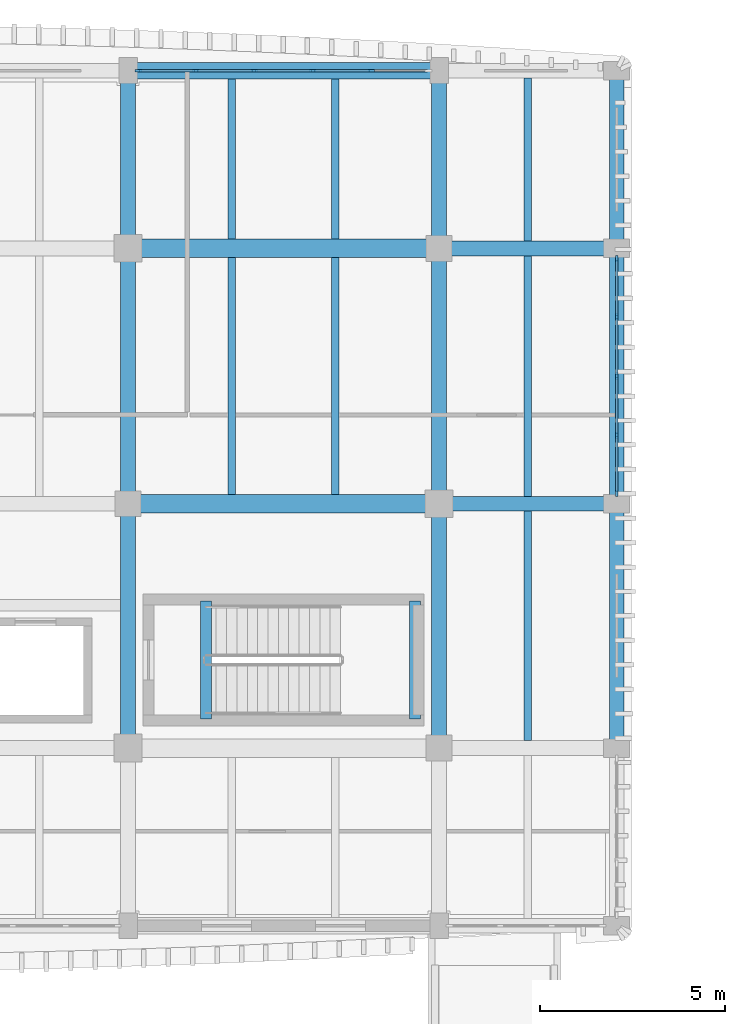
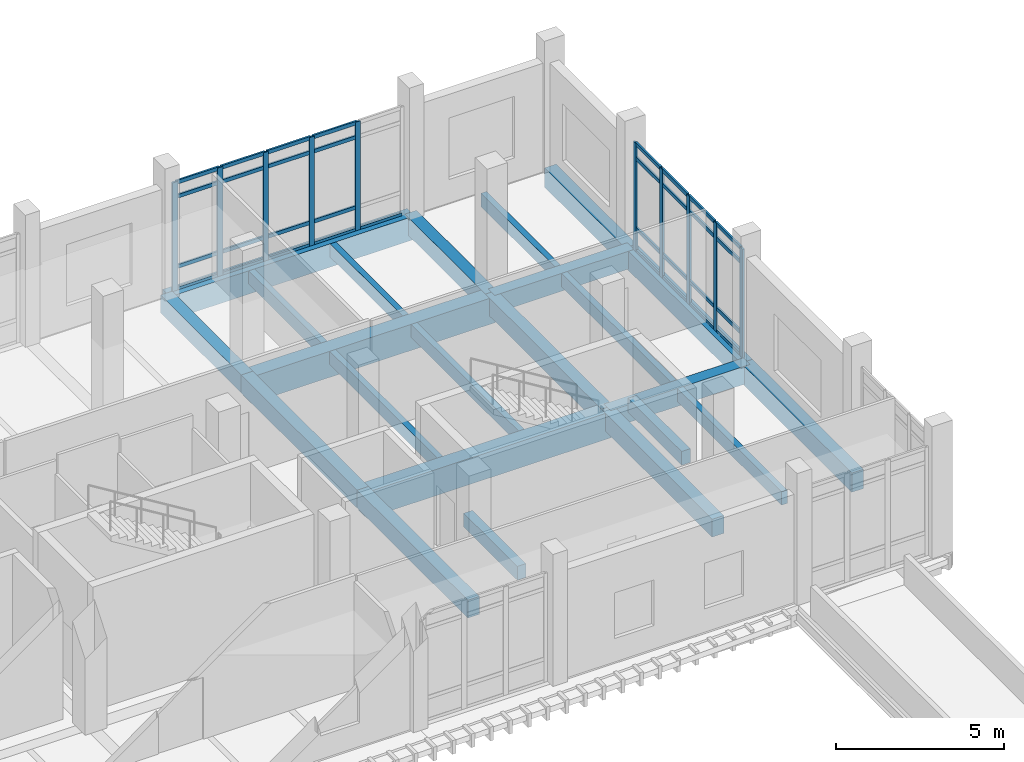
# One storey, part 19 of 76: 43 members, 23 beams, 2 elements without a shape of their own.
"""IFC4 building model written with IfcOpenShell, lengths in metres."""

from ifc_helpers import new_model, si_unit, direction, frame, origin, origin_2d, place, context, subcontext, project, spatial, rectangle, extrude, material, material_profile, profile_set, type_object, element, aggregate, save


model = new_model("IFC4")

# Units and contexts
model_context = context("Model", 3, precision=1e-05, world=origin(), true_north=direction((0.0, 1.0)))
body_context = subcontext(model_context, "Body", "Model", "MODEL_VIEW")
ifc_project = project(units=[si_unit("LENGTHUNIT", "METRE"), si_unit("AREAUNIT", "SQUARE_METRE"), si_unit("VOLUMEUNIT", "CUBIC_METRE"), si_unit("PLANEANGLEUNIT", "RADIAN"), si_unit("MASSUNIT", "GRAM", prefix="KILO")], contexts=[model_context])

# Site, building, storey
site_placement = place(None, origin())
site = spatial("IfcSite", under=ifc_project, at=site_placement, CompositionType="ELEMENT")
building_placement = place(site_placement, origin())
building = spatial("IfcBuilding", under=site, at=building_placement, Name="Dornvale Research Institute", CompositionType="ELEMENT")
storey_placement = place(building_placement, frame((0.0, 0.0, 15.0)))
storey = spatial("IfcBuildingStorey", under=building, at=storey_placement, Name="L03", CompositionType="ELEMENT", Elevation=15.0)

# Beams
ifc_material_1 = material(Name="Concrete f'c 45 MPa (C35/45)", Category="concrete")
ifc_material_profile_1 = material_profile(ifc_material_1, rectangle(XDim=0.300048828125, YDim=0.5, at=origin_2d()), Name="RC 300x500")
ifc_profile_set_1 = profile_set([ifc_material_profile_1], Name="Concrete f'c 45 MPa (C35/45)")
beam_type_1 = type_object("IfcBeamType", Name="Beam_RC300x500_Trim", PredefinedType="BEAM", material=ifc_profile_set_1)
for number, where, z_axis, x_axis, name in (
    (1, (35.10009765625, 104.580078125, -0.25), (0.0, 1.0, 0.0), (-1.0, 0.0, 0.0), "L03 ST-2 stair landing trimmer beam #27"),
    (2, (40.75, 104.580078125, 1.949951171875), (0.0, 1.0, 0.0), (-1.0, 0.0, 0.0), "L03 ST-2 half-landing support beam #40"),
):
    element("IfcBeam", number, at=place(storey_placement, frame(where, z_axis=z_axis, x_axis=x_axis)), inside=storey, type_object=beam_type_1, Name=name, PredefinedType="BEAM", context=body_context, shape_type="SweptSolid", body=[
        extrude(rectangle(XDim=0.300048828125, YDim=0.5, at=origin_2d()), origin(), (0.0, 0.0, 1.0), 3.199951171875),
    ])
ifc_material_2 = material(Name="Concrete f'c 45 MPa (C35/45)", Category="concrete")
ifc_material_profile_2 = material_profile(ifc_material_2, rectangle(XDim=0.39990234375, YDim=0.64990234375, at=origin_2d()), Name="RC 400x650")
ifc_profile_set_2 = profile_set([ifc_material_profile_2], Name="Concrete f'c 45 MPa (C35/45)")
beam_type_2 = type_object("IfcBeamType", Name="Beam_RC400x650_Floor", PredefinedType="BEAM", material=ifc_profile_set_2)
for number, where, z_axis, x_axis, name in (
    (3, (41.39990234375, 110.39990234375, -0.324951171875), (1.0, 0.0, 0.0), (0.0, 1.0, 0.0), "L03 primary girder #869"),
    (4, (41.39990234375, 117.300048828125, -0.324951171875), (1.0, 0.0, 0.0), (0.0, 1.0, 0.0), "L03 primary girder #876"),
):
    element("IfcBeam", number, at=place(storey_placement, frame(where, z_axis=z_axis, x_axis=x_axis)), inside=storey, type_object=beam_type_2, Name=name, PredefinedType="BEAM", context=body_context, shape_type="SweptSolid", body=[
        extrude(rectangle(XDim=0.39990234375, YDim=0.64990234375, at=origin_2d()), origin(), (0.0, 0.0, 1.0), 4.800048828125),
    ])
beam_1_placement = place(storey_placement, frame((33.0, 103.800048828125, -0.324951171875), z_axis=(0.0, 1.0, 0.0), x_axis=(-1.0, 0.0, 0.0)))
element("IfcBeam", 5, at=beam_1_placement, inside=storey, type_object=beam_type_2, Name="L03 transverse girder #905", PredefinedType="BEAM", context=body_context, shape_type="SweptSolid", body=[
    extrude(rectangle(XDim=0.39990234375, YDim=0.64990234375, at=origin_2d()), origin(), (0.0, 0.0, 1.0), 6.599853515625),
])
beam_2_placement = place(storey_placement, frame((33.0, 110.39990234375, -0.324951171875), z_axis=(0.0, 1.0, 0.0), x_axis=(-1.0, 0.0, 0.0)))
element("IfcBeam", 6, at=beam_2_placement, inside=storey, type_object=beam_type_2, Name="L03 transverse girder #906", PredefinedType="BEAM", context=body_context, shape_type="SweptSolid", body=[
    extrude(rectangle(XDim=0.39990234375, YDim=0.64990234375, at=origin_2d()), origin(), (0.0, 0.0, 1.0), 6.900146484375),
])
beam_3_placement = place(storey_placement, frame((33.0, 117.300048828125, -0.324951171875), z_axis=(0.0, 1.0, 0.0), x_axis=(-1.0, 0.0, 0.0)))
element("IfcBeam", 7, at=beam_3_placement, inside=storey, type_object=beam_type_2, Name="L03 transverse girder #907", PredefinedType="BEAM", context=body_context, shape_type="SweptSolid", body=[
    extrude(rectangle(XDim=0.39990234375, YDim=0.64990234375, at=origin_2d()), origin(), (0.0, 0.0, 1.0), 4.800048828125),
])
beam_4_placement = place(storey_placement, frame((41.39990234375, 103.800048828125, -0.324951171875), z_axis=(0.0, 1.0, 0.0), x_axis=(-1.0, 0.0, 0.0)))
element("IfcBeam", 8, at=beam_4_placement, inside=storey, type_object=beam_type_2, Name="L03 transverse girder #909", PredefinedType="BEAM", context=body_context, shape_type="SweptSolid", body=[
    extrude(rectangle(XDim=0.39990234375, YDim=0.64990234375, at=origin_2d()), origin(), (0.0, 0.0, 1.0), 6.599853515625),
])
beam_5_placement = place(storey_placement, frame((41.39990234375, 110.39990234375, -0.324951171875), z_axis=(0.0, 1.0, 0.0), x_axis=(-1.0, 0.0, 0.0)))
element("IfcBeam", 9, at=beam_5_placement, inside=storey, type_object=beam_type_2, Name="L03 transverse girder #910", PredefinedType="BEAM", context=body_context, shape_type="SweptSolid", body=[
    extrude(rectangle(XDim=0.39990234375, YDim=0.64990234375, at=origin_2d()), origin(), (0.0, 0.0, 1.0), 6.900146484375),
])
beam_6_placement = place(storey_placement, frame((41.39990234375, 117.300048828125, -0.324951171875), z_axis=(0.0, 1.0, 0.0), x_axis=(-1.0, 0.0, 0.0)))
element("IfcBeam", 10, at=beam_6_placement, inside=storey, type_object=beam_type_2, Name="L03 transverse girder #911", PredefinedType="BEAM", context=body_context, shape_type="SweptSolid", body=[
    extrude(rectangle(XDim=0.39990234375, YDim=0.64990234375, at=origin_2d()), origin(), (0.0, 0.0, 1.0), 4.800048828125),
])
ifc_material_3 = material(Name="Concrete f'c 45 MPa (C35/45)", Category="concrete")
ifc_material_profile_3 = material_profile(ifc_material_3, rectangle(XDim=0.5, YDim=0.949951171875, at=origin_2d()), Name="RC 500x950")
ifc_profile_set_3 = profile_set([ifc_material_profile_3], Name="Concrete f'c 45 MPa (C35/45)")
beam_type_3 = type_object("IfcBeamType", Name="Beam_RC500x950_Girder", PredefinedType="BEAM", material=ifc_profile_set_3)
for number, where, z_axis, x_axis, name in (
    (11, (33.0, 110.39990234375, -0.47509765625), (1.0, 0.0, 0.0), (0.0, 1.0, 0.0), "L03 primary girder #868"),
    (12, (33.0, 117.300048828125, -0.47509765625), (1.0, 0.0, 0.0), (0.0, 1.0, 0.0), "L03 primary girder #875"),
):
    element("IfcBeam", number, at=place(storey_placement, frame(where, z_axis=z_axis, x_axis=x_axis)), inside=storey, type_object=beam_type_3, Name=name, PredefinedType="BEAM", context=body_context, shape_type="SweptSolid", body=[
        extrude(rectangle(XDim=0.5, YDim=0.949951171875, at=origin_2d()), origin(), (0.0, 0.0, 1.0), 8.39990234375),
    ])
ifc_material_4 = material(Name="Concrete f'c 45 MPa (C35/45)", Category="concrete")
ifc_material_profile_4 = material_profile(ifc_material_4, rectangle(XDim=0.199951171875, YDim=0.485107421875, at=origin_2d()), Name="RC 200x485")
ifc_profile_set_4 = profile_set([ifc_material_profile_4], Name="Concrete f'c 45 MPa (C35/45)")
beam_type_4 = type_object("IfcBeamType", Name="Joist_RC200x485_Rib", PredefinedType="JOIST", material=ifc_profile_set_4)
for number, where, z_axis, x_axis, name in (
    (13, (35.800048828125, 110.64990234375, -0.242431640625), (0.0, 1.0, 0.0), (-1.0, 0.0, 0.0), "L03 laboratory waffle joist #444"),
    (14, (38.60009765625, 110.64990234375, -0.242431640625), (0.0, 1.0, 0.0), (-1.0, 0.0, 0.0), "L03 laboratory waffle joist #445"),
):
    element("IfcBeam", number, at=place(storey_placement, frame(where, z_axis=z_axis, x_axis=x_axis)), inside=storey, type_object=beam_type_4, Name=name, PredefinedType="JOIST", context=body_context, shape_type="SweptSolid", body=[
        extrude(rectangle(XDim=0.199951171875, YDim=0.485107421875, at=origin_2d()), origin(), (0.0, 0.0, 1.0), 6.400146484375),
    ])
for number, where, z_axis, x_axis, name in (
    (15, (35.800048828125, 117.550048828125, -0.242431640625), (0.0, 1.0, 0.0), (-1.0, 0.0, 0.0), "L03 laboratory waffle joist #446"),
    (16, (38.60009765625, 117.550048828125, -0.242431640625), (0.0, 1.0, 0.0), (-1.0, 0.0, 0.0), "L03 laboratory waffle joist #447"),
):
    element("IfcBeam", number, at=place(storey_placement, frame(where, z_axis=z_axis, x_axis=x_axis)), inside=storey, type_object=beam_type_4, Name=name, PredefinedType="JOIST", context=body_context, shape_type="SweptSolid", body=[
        extrude(rectangle(XDim=0.199951171875, YDim=0.485107421875, at=origin_2d()), origin(), (0.0, 0.0, 1.0), 4.324951171875),
    ])
beam_7_placement = place(storey_placement, frame((43.800048828125, 104.0, -0.242431640625), z_axis=(0.0, 1.0, 0.0), x_axis=(-1.0, 0.0, 0.0)))
element("IfcBeam", 17, at=beam_7_placement, inside=storey, type_object=beam_type_4, Name="L03 laboratory waffle joist #449", PredefinedType="JOIST", context=body_context, shape_type="SweptSolid", body=[
    extrude(rectangle(XDim=0.199951171875, YDim=0.485107421875, at=origin_2d()), origin(), (0.0, 0.0, 1.0), 6.199951171875),
])
beam_8_placement = place(storey_placement, frame((43.800048828125, 110.60009765625, -0.242431640625), z_axis=(0.0, 1.0, 0.0), x_axis=(-1.0, 0.0, 0.0)))
element("IfcBeam", 18, at=beam_8_placement, inside=storey, type_object=beam_type_4, Name="L03 laboratory waffle joist #450", PredefinedType="JOIST", context=body_context, shape_type="SweptSolid", body=[
    extrude(rectangle(XDim=0.199951171875, YDim=0.485107421875, at=origin_2d()), origin(), (0.0, 0.0, 1.0), 6.5),
])
beam_9_placement = place(storey_placement, frame((43.800048828125, 117.5, -0.242431640625), z_axis=(0.0, 1.0, 0.0), x_axis=(-1.0, 0.0, 0.0)))
element("IfcBeam", 19, at=beam_9_placement, inside=storey, type_object=beam_type_4, Name="L03 laboratory waffle joist #451", PredefinedType="JOIST", context=body_context, shape_type="SweptSolid", body=[
    extrude(rectangle(XDim=0.199951171875, YDim=0.485107421875, at=origin_2d()), origin(), (0.0, 0.0, 1.0), 4.39990234375),
])

# Curtain wall, members
ifc_material_5 = material(Name="Low-E Argon Double Insulating Glazing Unit", Category="glass")
curtain_wall_type_1 = type_object("IfcCurtainWallType", Name="UnitisedCurtainWall_V5_7900x3950", PredefinedType="USERDEFINED", material=ifc_material_5)
curtain_wall_1_placement = place(storey_placement, origin())
curtain_wall_1 = element("IfcCurtainWall", 20, at=curtain_wall_1_placement, inside=storey, type_object=curtain_wall_type_1, Name="L03 V5 unitised curtain wall CW-24 #150", ObjectType="UNITISED CURTAIN WALL", PredefinedType="USERDEFINED")
ifc_material_6 = material(Name="Anodized Aluminum AA 6063-T6 Thermally Broken Frame", Category="aluminium")
ifc_material_profile_5 = material_profile(ifc_material_6, rectangle(XDim=0.06494140625, YDim=0.179931640625, at=origin_2d()), Name="ALU MULLION 65x180")
ifc_profile_set_5 = profile_set([ifc_material_profile_5], Name="Anodized Aluminum AA 6063-T6 Thermally Broken Frame")
member_type_1 = type_object("IfcMemberType", Name="Mullion_CW_65x180", PredefinedType="MULLION", material=ifc_profile_set_5)
member_1_placement = place(storey_placement, frame((33.282470703125, 122.10009765625, 0.0), z_axis=(0.0, 0.0, 1.0), x_axis=(0.0, 1.0, 0.0)))
member_1 = element("IfcMember", 21, at=member_1_placement, type_object=member_type_1, Name="CW-24 mullion 1", PredefinedType="MULLION", context=body_context, shape_type="SweptSolid", body=[
    extrude(rectangle(XDim=0.06494140625, YDim=0.179931640625, at=origin_2d()), origin(), (0.0, 0.0, 1.0), 3.949951171875),
])
member_2_placement = place(storey_placement, frame((34.830078125, 122.10009765625, 0.0), z_axis=(0.0, 0.0, 1.0), x_axis=(0.0, 1.0, 0.0)))
member_2 = element("IfcMember", 22, at=member_2_placement, type_object=member_type_1, Name="CW-24 mullion 2", PredefinedType="MULLION", context=body_context, shape_type="SweptSolid", body=[
    extrude(rectangle(XDim=0.06494140625, YDim=0.179931640625, at=origin_2d()), origin(), (0.0, 0.0, 1.0), 3.949951171875),
])
member_3_placement = place(storey_placement, frame((36.409912109375, 122.10009765625, 0.0), z_axis=(0.0, 0.0, 1.0), x_axis=(0.0, 1.0, 0.0)))
member_3 = element("IfcMember", 23, at=member_3_placement, type_object=member_type_1, Name="CW-24 mullion 3", PredefinedType="MULLION", context=body_context, shape_type="SweptSolid", body=[
    extrude(rectangle(XDim=0.06494140625, YDim=0.179931640625, at=origin_2d()), origin(), (0.0, 0.0, 1.0), 3.949951171875),
])
member_4_placement = place(storey_placement, frame((37.989990234375, 122.10009765625, 0.0), z_axis=(0.0, 0.0, 1.0), x_axis=(0.0, 1.0, 0.0)))
member_4 = element("IfcMember", 24, at=member_4_placement, type_object=member_type_1, Name="CW-24 mullion 4", PredefinedType="MULLION", context=body_context, shape_type="SweptSolid", body=[
    extrude(rectangle(XDim=0.06494140625, YDim=0.179931640625, at=origin_2d()), origin(), (0.0, 0.0, 1.0), 3.949951171875),
])
member_5_placement = place(storey_placement, frame((39.570068359375, 122.10009765625, 0.0), z_axis=(0.0, 0.0, 1.0), x_axis=(0.0, 1.0, 0.0)))
member_5 = element("IfcMember", 25, at=member_5_placement, type_object=member_type_1, Name="CW-24 mullion 5", PredefinedType="MULLION", context=body_context, shape_type="SweptSolid", body=[
    extrude(rectangle(XDim=0.06494140625, YDim=0.179931640625, at=origin_2d()), origin(), (0.0, 0.0, 1.0), 3.949951171875),
])

ifc_material_7 = material(Name="Low-E Argon Double Insulating Glazing Unit", Category="glass")
curtain_wall_type_2 = type_object("IfcCurtainWallType", Name="UnitisedCurtainWall_V5_6400x3950", PredefinedType="USERDEFINED", material=ifc_material_7)
curtain_wall_2_placement = place(storey_placement, origin())
curtain_wall_2 = element("IfcCurtainWall", 26, at=curtain_wall_2_placement, inside=storey, type_object=curtain_wall_type_2, Name="L03 V5 unitised curtain wall CW-28 #151", ObjectType="UNITISED CURTAIN WALL", PredefinedType="USERDEFINED")
member_6_placement = place(storey_placement, frame((46.199951171875, 117.017578125, 0.0), z_axis=(0.0, 0.0, 1.0), x_axis=(1.0, 0.0, 0.0)))
member_6 = element("IfcMember", 27, at=member_6_placement, type_object=member_type_1, Name="CW-28 mullion 1", PredefinedType="MULLION", context=body_context, shape_type="SweptSolid", body=[
    extrude(rectangle(XDim=0.06494140625, YDim=0.179931640625, at=origin_2d()), origin(), (0.0, 0.0, 1.0), 3.949951171875),
])
member_7_placement = place(storey_placement, frame((46.199951171875, 115.449951171875, 0.0), z_axis=(0.0, 0.0, 1.0), x_axis=(1.0, 0.0, 0.0)))
member_7 = element("IfcMember", 28, at=member_7_placement, type_object=member_type_1, Name="CW-28 mullion 2", PredefinedType="MULLION", context=body_context, shape_type="SweptSolid", body=[
    extrude(rectangle(XDim=0.06494140625, YDim=0.179931640625, at=origin_2d()), origin(), (0.0, 0.0, 1.0), 3.949951171875),
])
member_8_placement = place(storey_placement, frame((46.199951171875, 113.85009765625, 0.0), z_axis=(0.0, 0.0, 1.0), x_axis=(1.0, 0.0, 0.0)))
member_8 = element("IfcMember", 29, at=member_8_placement, type_object=member_type_1, Name="CW-28 mullion 3", PredefinedType="MULLION", context=body_context, shape_type="SweptSolid", body=[
    extrude(rectangle(XDim=0.06494140625, YDim=0.179931640625, at=origin_2d()), origin(), (0.0, 0.0, 1.0), 3.949951171875),
])
member_9_placement = place(storey_placement, frame((46.199951171875, 112.25, 0.0), z_axis=(0.0, 0.0, 1.0), x_axis=(1.0, 0.0, 0.0)))
member_9 = element("IfcMember", 30, at=member_9_placement, type_object=member_type_1, Name="CW-28 mullion 4", PredefinedType="MULLION", context=body_context, shape_type="SweptSolid", body=[
    extrude(rectangle(XDim=0.06494140625, YDim=0.179931640625, at=origin_2d()), origin(), (0.0, 0.0, 1.0), 3.949951171875),
])
member_10_placement = place(storey_placement, frame((46.199951171875, 110.6826171875, 0.0), z_axis=(0.0, 0.0, 1.0), x_axis=(1.0, 0.0, 0.0)))
member_10 = element("IfcMember", 31, at=member_10_placement, type_object=member_type_1, Name="CW-28 mullion 5", PredefinedType="MULLION", context=body_context, shape_type="SweptSolid", body=[
    extrude(rectangle(XDim=0.06494140625, YDim=0.179931640625, at=origin_2d()), origin(), (0.0, 0.0, 1.0), 3.949951171875),
])

# Beams
ifc_material_8 = material(Name="Concrete f'c 45 MPa (C35/45)", Category="concrete")
ifc_material_profile_6 = material_profile(ifc_material_8, rectangle(XDim=0.39990234375, YDim=0.699951171875, at=origin_2d()), Name="RC 400x700")
ifc_profile_set_6 = profile_set([ifc_material_profile_6], Name="Concrete f'c 45 MPa (C35/45)")
beam_type_5 = type_object("IfcBeamType", Name="Spandrel_RC400x700_Ext", PredefinedType="SPANDREL", material=ifc_profile_set_6)
beam_10_placement = place(storey_placement, frame((46.199951171875, 103.800048828125, -0.35009765625), z_axis=(0.0, 1.0, 0.0), x_axis=(-1.0, 0.0, 0.0)))
element("IfcBeam", 32, at=beam_10_placement, inside=storey, type_object=beam_type_5, Name="L03 perimeter spandrel #913", PredefinedType="SPANDREL", context=body_context, shape_type="SweptSolid", body=[
    extrude(rectangle(XDim=0.39990234375, YDim=0.699951171875, at=origin_2d()), origin(), (0.0, 0.0, 1.0), 6.599853515625),
])
beam_11_placement = place(storey_placement, frame((46.199951171875, 110.39990234375, -0.35009765625), z_axis=(0.0, 1.0, 0.0), x_axis=(-1.0, 0.0, 0.0)))
element("IfcBeam", 33, at=beam_11_placement, inside=storey, type_object=beam_type_5, Name="L03 perimeter spandrel #914", PredefinedType="SPANDREL", context=body_context, shape_type="SweptSolid", body=[
    extrude(rectangle(XDim=0.39990234375, YDim=0.699951171875, at=origin_2d()), origin(), (0.0, 0.0, 1.0), 6.900146484375),
])
beam_12_placement = place(storey_placement, frame((46.199951171875, 117.300048828125, -0.35009765625), z_axis=(0.0, 1.0, 0.0), x_axis=(-1.0, 0.0, 0.0)))
element("IfcBeam", 34, at=beam_12_placement, inside=storey, type_object=beam_type_5, Name="L03 perimeter spandrel #915", PredefinedType="SPANDREL", context=body_context, shape_type="SweptSolid", body=[
    extrude(rectangle(XDim=0.39990234375, YDim=0.699951171875, at=origin_2d()), origin(), (0.0, 0.0, 1.0), 4.800048828125),
])
ifc_material_9 = material(Name="Concrete f'c 45 MPa (C35/45)", Category="concrete")
ifc_material_profile_7 = material_profile(ifc_material_9, rectangle(XDim=0.449951171875, YDim=0.85009765625, at=origin_2d()), Name="RC 450x850")
ifc_profile_set_7 = profile_set([ifc_material_profile_7], Name="Concrete f'c 45 MPa (C35/45)")
beam_type_6 = type_object("IfcBeamType", Name="Spandrel_RC450x850_Ext", PredefinedType="SPANDREL", material=ifc_profile_set_7)
beam_13_placement = place(storey_placement, frame((33.0, 122.10009765625, -0.425048828125), z_axis=(1.0, 0.0, 0.0), x_axis=(0.0, 1.0, 0.0)))
element("IfcBeam", 35, at=beam_13_placement, inside=storey, type_object=beam_type_6, Name="L03 perimeter spandrel #882", PredefinedType="SPANDREL", context=body_context, shape_type="SweptSolid", body=[
    extrude(rectangle(XDim=0.449951171875, YDim=0.85009765625, at=origin_2d()), origin(), (0.0, 0.0, 1.0), 8.39990234375),
])

# Member
ifc_material_10 = material(Name="Anodized Aluminum AA 6063-T6 Thermally Broken Frame", Category="aluminium")
ifc_material_profile_8 = material_profile(ifc_material_10, rectangle(XDim=0.06494140625, YDim=0.135009765625, at=origin_2d()), Name="ALU TRANSOM 65x135")
ifc_profile_set_8 = profile_set([ifc_material_profile_8], Name="Anodized Aluminum AA 6063-T6 Thermally Broken Frame")
member_type_2 = type_object("IfcMemberType", Name="Transom_CW_65x135", PredefinedType="USERDEFINED", material=ifc_profile_set_8)
member_11_placement = place(storey_placement, frame((33.31494140625, 122.10009765625, 0.032470703125), z_axis=(1.0, 0.0, 0.0), x_axis=(0.0, 1.0, 0.0)))
member_11 = element("IfcMember", 36, at=member_11_placement, type_object=member_type_2, Name="CW-24 transom 1.1", ObjectType="TRANSOM", PredefinedType="USERDEFINED", context=body_context, shape_type="SweptSolid", body=[
    extrude(rectangle(XDim=0.06494140625, YDim=0.135009765625, at=origin_2d()), origin(), (0.0, 0.0, 1.0), 1.482666015625),
])

member_12_placement = place(storey_placement, frame((33.31494140625, 122.10009765625, 0.85009765625), z_axis=(1.0, 0.0, 0.0), x_axis=(0.0, 1.0, 0.0)))
member_12 = element("IfcMember", 37, at=member_12_placement, type_object=member_type_2, Name="CW-24 transom 1.2", ObjectType="TRANSOM", PredefinedType="USERDEFINED", context=body_context, shape_type="SweptSolid", body=[
    extrude(rectangle(XDim=0.06494140625, YDim=0.135009765625, at=origin_2d()), origin(), (0.0, 0.0, 1.0), 1.482666015625),
])

member_13_placement = place(storey_placement, frame((33.31494140625, 122.10009765625, 3.39990234375), z_axis=(1.0, 0.0, 0.0), x_axis=(0.0, 1.0, 0.0)))
member_13 = element("IfcMember", 38, at=member_13_placement, type_object=member_type_2, Name="CW-24 transom 1.3", ObjectType="TRANSOM", PredefinedType="USERDEFINED", context=body_context, shape_type="SweptSolid", body=[
    extrude(rectangle(XDim=0.06494140625, YDim=0.135009765625, at=origin_2d()), origin(), (0.0, 0.0, 1.0), 1.482666015625),
])

member_14_placement = place(storey_placement, frame((33.31494140625, 122.10009765625, 3.91748046875), z_axis=(1.0, 0.0, 0.0), x_axis=(0.0, 1.0, 0.0)))
member_14 = element("IfcMember", 39, at=member_14_placement, type_object=member_type_2, Name="CW-24 transom 1.4", ObjectType="TRANSOM", PredefinedType="USERDEFINED", context=body_context, shape_type="SweptSolid", body=[
    extrude(rectangle(XDim=0.06494140625, YDim=0.135009765625, at=origin_2d()), origin(), (0.0, 0.0, 1.0), 1.482666015625),
])

member_15_placement = place(storey_placement, frame((34.862548828125, 122.10009765625, 0.032470703125), z_axis=(1.0, 0.0, 0.0), x_axis=(0.0, 1.0, 0.0)))
member_15 = element("IfcMember", 40, at=member_15_placement, type_object=member_type_2, Name="CW-24 transom 2.1", ObjectType="TRANSOM", PredefinedType="USERDEFINED", context=body_context, shape_type="SweptSolid", body=[
    extrude(rectangle(XDim=0.06494140625, YDim=0.135009765625, at=origin_2d()), origin(), (0.0, 0.0, 1.0), 1.514892578125),
])

member_16_placement = place(storey_placement, frame((34.862548828125, 122.10009765625, 0.85009765625), z_axis=(1.0, 0.0, 0.0), x_axis=(0.0, 1.0, 0.0)))
member_16 = element("IfcMember", 41, at=member_16_placement, type_object=member_type_2, Name="CW-24 transom 2.2", ObjectType="TRANSOM", PredefinedType="USERDEFINED", context=body_context, shape_type="SweptSolid", body=[
    extrude(rectangle(XDim=0.06494140625, YDim=0.135009765625, at=origin_2d()), origin(), (0.0, 0.0, 1.0), 1.514892578125),
])

member_17_placement = place(storey_placement, frame((34.862548828125, 122.10009765625, 3.39990234375), z_axis=(1.0, 0.0, 0.0), x_axis=(0.0, 1.0, 0.0)))
member_17 = element("IfcMember", 42, at=member_17_placement, type_object=member_type_2, Name="CW-24 transom 2.3", ObjectType="TRANSOM", PredefinedType="USERDEFINED", context=body_context, shape_type="SweptSolid", body=[
    extrude(rectangle(XDim=0.06494140625, YDim=0.135009765625, at=origin_2d()), origin(), (0.0, 0.0, 1.0), 1.514892578125),
])

member_18_placement = place(storey_placement, frame((34.862548828125, 122.10009765625, 3.91748046875), z_axis=(1.0, 0.0, 0.0), x_axis=(0.0, 1.0, 0.0)))
member_18 = element("IfcMember", 43, at=member_18_placement, type_object=member_type_2, Name="CW-24 transom 2.4", ObjectType="TRANSOM", PredefinedType="USERDEFINED", context=body_context, shape_type="SweptSolid", body=[
    extrude(rectangle(XDim=0.06494140625, YDim=0.135009765625, at=origin_2d()), origin(), (0.0, 0.0, 1.0), 1.514892578125),
])

member_19_placement = place(storey_placement, frame((36.4423828125, 122.10009765625, 0.032470703125), z_axis=(1.0, 0.0, 0.0), x_axis=(0.0, 1.0, 0.0)))
member_19 = element("IfcMember", 44, at=member_19_placement, type_object=member_type_2, Name="CW-24 transom 3.1", ObjectType="TRANSOM", PredefinedType="USERDEFINED", context=body_context, shape_type="SweptSolid", body=[
    extrude(rectangle(XDim=0.06494140625, YDim=0.135009765625, at=origin_2d()), origin(), (0.0, 0.0, 1.0), 1.51513671875),
])

member_20_placement = place(storey_placement, frame((36.4423828125, 122.10009765625, 0.85009765625), z_axis=(1.0, 0.0, 0.0), x_axis=(0.0, 1.0, 0.0)))
member_20 = element("IfcMember", 45, at=member_20_placement, type_object=member_type_2, Name="CW-24 transom 3.2", ObjectType="TRANSOM", PredefinedType="USERDEFINED", context=body_context, shape_type="SweptSolid", body=[
    extrude(rectangle(XDim=0.06494140625, YDim=0.135009765625, at=origin_2d()), origin(), (0.0, 0.0, 1.0), 1.51513671875),
])

member_21_placement = place(storey_placement, frame((36.4423828125, 122.10009765625, 3.39990234375), z_axis=(1.0, 0.0, 0.0), x_axis=(0.0, 1.0, 0.0)))
member_21 = element("IfcMember", 46, at=member_21_placement, type_object=member_type_2, Name="CW-24 transom 3.3", ObjectType="TRANSOM", PredefinedType="USERDEFINED", context=body_context, shape_type="SweptSolid", body=[
    extrude(rectangle(XDim=0.06494140625, YDim=0.135009765625, at=origin_2d()), origin(), (0.0, 0.0, 1.0), 1.51513671875),
])

member_22_placement = place(storey_placement, frame((36.4423828125, 122.10009765625, 3.91748046875), z_axis=(1.0, 0.0, 0.0), x_axis=(0.0, 1.0, 0.0)))
member_22 = element("IfcMember", 47, at=member_22_placement, type_object=member_type_2, Name="CW-24 transom 3.4", ObjectType="TRANSOM", PredefinedType="USERDEFINED", context=body_context, shape_type="SweptSolid", body=[
    extrude(rectangle(XDim=0.06494140625, YDim=0.135009765625, at=origin_2d()), origin(), (0.0, 0.0, 1.0), 1.51513671875),
])

member_23_placement = place(storey_placement, frame((38.0224609375, 122.10009765625, 0.032470703125), z_axis=(1.0, 0.0, 0.0), x_axis=(0.0, 1.0, 0.0)))
member_23 = element("IfcMember", 48, at=member_23_placement, type_object=member_type_2, Name="CW-24 transom 4.1", ObjectType="TRANSOM", PredefinedType="USERDEFINED", context=body_context, shape_type="SweptSolid", body=[
    extrude(rectangle(XDim=0.06494140625, YDim=0.135009765625, at=origin_2d()), origin(), (0.0, 0.0, 1.0), 1.51513671875),
])

member_24_placement = place(storey_placement, frame((38.0224609375, 122.10009765625, 0.85009765625), z_axis=(1.0, 0.0, 0.0), x_axis=(0.0, 1.0, 0.0)))
member_24 = element("IfcMember", 49, at=member_24_placement, type_object=member_type_2, Name="CW-24 transom 4.2", ObjectType="TRANSOM", PredefinedType="USERDEFINED", context=body_context, shape_type="SweptSolid", body=[
    extrude(rectangle(XDim=0.06494140625, YDim=0.135009765625, at=origin_2d()), origin(), (0.0, 0.0, 1.0), 1.51513671875),
])

member_25_placement = place(storey_placement, frame((38.0224609375, 122.10009765625, 3.39990234375), z_axis=(1.0, 0.0, 0.0), x_axis=(0.0, 1.0, 0.0)))
member_25 = element("IfcMember", 50, at=member_25_placement, type_object=member_type_2, Name="CW-24 transom 4.3", ObjectType="TRANSOM", PredefinedType="USERDEFINED", context=body_context, shape_type="SweptSolid", body=[
    extrude(rectangle(XDim=0.06494140625, YDim=0.135009765625, at=origin_2d()), origin(), (0.0, 0.0, 1.0), 1.51513671875),
])

member_26_placement = place(storey_placement, frame((38.0224609375, 122.10009765625, 3.91748046875), z_axis=(1.0, 0.0, 0.0), x_axis=(0.0, 1.0, 0.0)))
member_26 = element("IfcMember", 51, at=member_26_placement, type_object=member_type_2, Name="CW-24 transom 4.4", ObjectType="TRANSOM", PredefinedType="USERDEFINED", context=body_context, shape_type="SweptSolid", body=[
    extrude(rectangle(XDim=0.06494140625, YDim=0.135009765625, at=origin_2d()), origin(), (0.0, 0.0, 1.0), 1.51513671875),
])

member_27_placement = place(storey_placement, frame((39.6025390625, 122.10009765625, 0.032470703125), z_axis=(1.0, 0.0, 0.0), x_axis=(0.0, 1.0, 0.0)))
member_27 = element("IfcMember", 52, at=member_27_placement, type_object=member_type_2, Name="CW-24 transom 5.1", ObjectType="TRANSOM", PredefinedType="USERDEFINED", context=body_context, shape_type="SweptSolid", body=[
    extrude(rectangle(XDim=0.06494140625, YDim=0.135009765625, at=origin_2d()), origin(), (0.0, 0.0, 1.0), 1.482421875),
])

aggregate(curtain_wall_1, [member_1, member_2, member_3, member_4, member_5, member_11, member_12, member_13, member_14, member_15, member_16, member_17, member_18, member_19, member_20, member_21, member_22, member_23, member_24, member_25, member_26, member_27])

member_28_placement = place(storey_placement, frame((46.199951171875, 116.985107421875, 0.032470703125), z_axis=(0.0, -1.0, 0.0), x_axis=(1.0, 0.0, 0.0)))
member_28 = element("IfcMember", 53, at=member_28_placement, type_object=member_type_2, Name="CW-28 transom 1.1", ObjectType="TRANSOM", PredefinedType="USERDEFINED", context=body_context, shape_type="SweptSolid", body=[
    extrude(rectangle(XDim=0.06494140625, YDim=0.135009765625, at=origin_2d()), origin(), (0.0, 0.0, 1.0), 1.502685546875),
])

member_29_placement = place(storey_placement, frame((46.199951171875, 116.985107421875, 0.85009765625), z_axis=(0.0, -1.0, 0.0), x_axis=(1.0, 0.0, 0.0)))
member_29 = element("IfcMember", 54, at=member_29_placement, type_object=member_type_2, Name="CW-28 transom 1.2", ObjectType="TRANSOM", PredefinedType="USERDEFINED", context=body_context, shape_type="SweptSolid", body=[
    extrude(rectangle(XDim=0.06494140625, YDim=0.135009765625, at=origin_2d()), origin(), (0.0, 0.0, 1.0), 1.502685546875),
])

member_30_placement = place(storey_placement, frame((46.199951171875, 116.985107421875, 3.39990234375), z_axis=(0.0, -1.0, 0.0), x_axis=(1.0, 0.0, 0.0)))
member_30 = element("IfcMember", 55, at=member_30_placement, type_object=member_type_2, Name="CW-28 transom 1.3", ObjectType="TRANSOM", PredefinedType="USERDEFINED", context=body_context, shape_type="SweptSolid", body=[
    extrude(rectangle(XDim=0.06494140625, YDim=0.135009765625, at=origin_2d()), origin(), (0.0, 0.0, 1.0), 1.502685546875),
])

member_31_placement = place(storey_placement, frame((46.199951171875, 116.985107421875, 3.91748046875), z_axis=(0.0, -1.0, 0.0), x_axis=(1.0, 0.0, 0.0)))
member_31 = element("IfcMember", 56, at=member_31_placement, type_object=member_type_2, Name="CW-28 transom 1.4", ObjectType="TRANSOM", PredefinedType="USERDEFINED", context=body_context, shape_type="SweptSolid", body=[
    extrude(rectangle(XDim=0.06494140625, YDim=0.135009765625, at=origin_2d()), origin(), (0.0, 0.0, 1.0), 1.502685546875),
])

member_32_placement = place(storey_placement, frame((46.199951171875, 115.41748046875, 0.032470703125), z_axis=(0.0, -1.0, 0.0), x_axis=(1.0, 0.0, 0.0)))
member_32 = element("IfcMember", 57, at=member_32_placement, type_object=member_type_2, Name="CW-28 transom 2.1", ObjectType="TRANSOM", PredefinedType="USERDEFINED", context=body_context, shape_type="SweptSolid", body=[
    extrude(rectangle(XDim=0.06494140625, YDim=0.135009765625, at=origin_2d()), origin(), (0.0, 0.0, 1.0), 1.534912109375),
])

member_33_placement = place(storey_placement, frame((46.199951171875, 115.41748046875, 0.85009765625), z_axis=(0.0, -1.0, 0.0), x_axis=(1.0, 0.0, 0.0)))
member_33 = element("IfcMember", 58, at=member_33_placement, type_object=member_type_2, Name="CW-28 transom 2.2", ObjectType="TRANSOM", PredefinedType="USERDEFINED", context=body_context, shape_type="SweptSolid", body=[
    extrude(rectangle(XDim=0.06494140625, YDim=0.135009765625, at=origin_2d()), origin(), (0.0, 0.0, 1.0), 1.534912109375),
])

member_34_placement = place(storey_placement, frame((46.199951171875, 115.41748046875, 3.39990234375), z_axis=(0.0, -1.0, 0.0), x_axis=(1.0, 0.0, 0.0)))
member_34 = element("IfcMember", 59, at=member_34_placement, type_object=member_type_2, Name="CW-28 transom 2.3", ObjectType="TRANSOM", PredefinedType="USERDEFINED", context=body_context, shape_type="SweptSolid", body=[
    extrude(rectangle(XDim=0.06494140625, YDim=0.135009765625, at=origin_2d()), origin(), (0.0, 0.0, 1.0), 1.534912109375),
])

member_35_placement = place(storey_placement, frame((46.199951171875, 115.41748046875, 3.91748046875), z_axis=(0.0, -1.0, 0.0), x_axis=(1.0, 0.0, 0.0)))
member_35 = element("IfcMember", 60, at=member_35_placement, type_object=member_type_2, Name="CW-28 transom 2.4", ObjectType="TRANSOM", PredefinedType="USERDEFINED", context=body_context, shape_type="SweptSolid", body=[
    extrude(rectangle(XDim=0.06494140625, YDim=0.135009765625, at=origin_2d()), origin(), (0.0, 0.0, 1.0), 1.534912109375),
])

member_36_placement = place(storey_placement, frame((46.199951171875, 113.8173828125, 0.032470703125), z_axis=(0.0, -1.0, 0.0), x_axis=(1.0, 0.0, 0.0)))
member_36 = element("IfcMember", 61, at=member_36_placement, type_object=member_type_2, Name="CW-28 transom 3.1", ObjectType="TRANSOM", PredefinedType="USERDEFINED", context=body_context, shape_type="SweptSolid", body=[
    extrude(rectangle(XDim=0.06494140625, YDim=0.135009765625, at=origin_2d()), origin(), (0.0, 0.0, 1.0), 1.534912109375),
])

member_37_placement = place(storey_placement, frame((46.199951171875, 113.8173828125, 0.85009765625), z_axis=(0.0, -1.0, 0.0), x_axis=(1.0, 0.0, 0.0)))
member_37 = element("IfcMember", 62, at=member_37_placement, type_object=member_type_2, Name="CW-28 transom 3.2", ObjectType="TRANSOM", PredefinedType="USERDEFINED", context=body_context, shape_type="SweptSolid", body=[
    extrude(rectangle(XDim=0.06494140625, YDim=0.135009765625, at=origin_2d()), origin(), (0.0, 0.0, 1.0), 1.534912109375),
])

member_38_placement = place(storey_placement, frame((46.199951171875, 113.8173828125, 3.39990234375), z_axis=(0.0, -1.0, 0.0), x_axis=(1.0, 0.0, 0.0)))
member_38 = element("IfcMember", 63, at=member_38_placement, type_object=member_type_2, Name="CW-28 transom 3.3", ObjectType="TRANSOM", PredefinedType="USERDEFINED", context=body_context, shape_type="SweptSolid", body=[
    extrude(rectangle(XDim=0.06494140625, YDim=0.135009765625, at=origin_2d()), origin(), (0.0, 0.0, 1.0), 1.534912109375),
])

member_39_placement = place(storey_placement, frame((46.199951171875, 113.8173828125, 3.91748046875), z_axis=(0.0, -1.0, 0.0), x_axis=(1.0, 0.0, 0.0)))
member_39 = element("IfcMember", 64, at=member_39_placement, type_object=member_type_2, Name="CW-28 transom 3.4", ObjectType="TRANSOM", PredefinedType="USERDEFINED", context=body_context, shape_type="SweptSolid", body=[
    extrude(rectangle(XDim=0.06494140625, YDim=0.135009765625, at=origin_2d()), origin(), (0.0, 0.0, 1.0), 1.534912109375),
])

member_40_placement = place(storey_placement, frame((46.199951171875, 112.217529296875, 0.032470703125), z_axis=(0.0, -1.0, 0.0), x_axis=(1.0, 0.0, 0.0)))
member_40 = element("IfcMember", 65, at=member_40_placement, type_object=member_type_2, Name="CW-28 transom 4.1", ObjectType="TRANSOM", PredefinedType="USERDEFINED", context=body_context, shape_type="SweptSolid", body=[
    extrude(rectangle(XDim=0.06494140625, YDim=0.135009765625, at=origin_2d()), origin(), (0.0, 0.0, 1.0), 1.50244140625),
])

member_41_placement = place(storey_placement, frame((46.199951171875, 112.217529296875, 0.85009765625), z_axis=(0.0, -1.0, 0.0), x_axis=(1.0, 0.0, 0.0)))
member_41 = element("IfcMember", 66, at=member_41_placement, type_object=member_type_2, Name="CW-28 transom 4.2", ObjectType="TRANSOM", PredefinedType="USERDEFINED", context=body_context, shape_type="SweptSolid", body=[
    extrude(rectangle(XDim=0.06494140625, YDim=0.135009765625, at=origin_2d()), origin(), (0.0, 0.0, 1.0), 1.50244140625),
])

member_42_placement = place(storey_placement, frame((46.199951171875, 112.217529296875, 3.39990234375), z_axis=(0.0, -1.0, 0.0), x_axis=(1.0, 0.0, 0.0)))
member_42 = element("IfcMember", 67, at=member_42_placement, type_object=member_type_2, Name="CW-28 transom 4.3", ObjectType="TRANSOM", PredefinedType="USERDEFINED", context=body_context, shape_type="SweptSolid", body=[
    extrude(rectangle(XDim=0.06494140625, YDim=0.135009765625, at=origin_2d()), origin(), (0.0, 0.0, 1.0), 1.50244140625),
])

member_43_placement = place(storey_placement, frame((46.199951171875, 112.217529296875, 3.91748046875), z_axis=(0.0, -1.0, 0.0), x_axis=(1.0, 0.0, 0.0)))
member_43 = element("IfcMember", 68, at=member_43_placement, type_object=member_type_2, Name="CW-28 transom 4.4", ObjectType="TRANSOM", PredefinedType="USERDEFINED", context=body_context, shape_type="SweptSolid", body=[
    extrude(rectangle(XDim=0.06494140625, YDim=0.135009765625, at=origin_2d()), origin(), (0.0, 0.0, 1.0), 1.50244140625),
])

aggregate(curtain_wall_2, [member_6, member_7, member_8, member_9, member_10, member_28, member_29, member_30, member_31, member_32, member_33, member_34, member_35, member_36, member_37, member_38, member_39, member_40, member_41, member_42, member_43])

save(model, "model.ifc")
